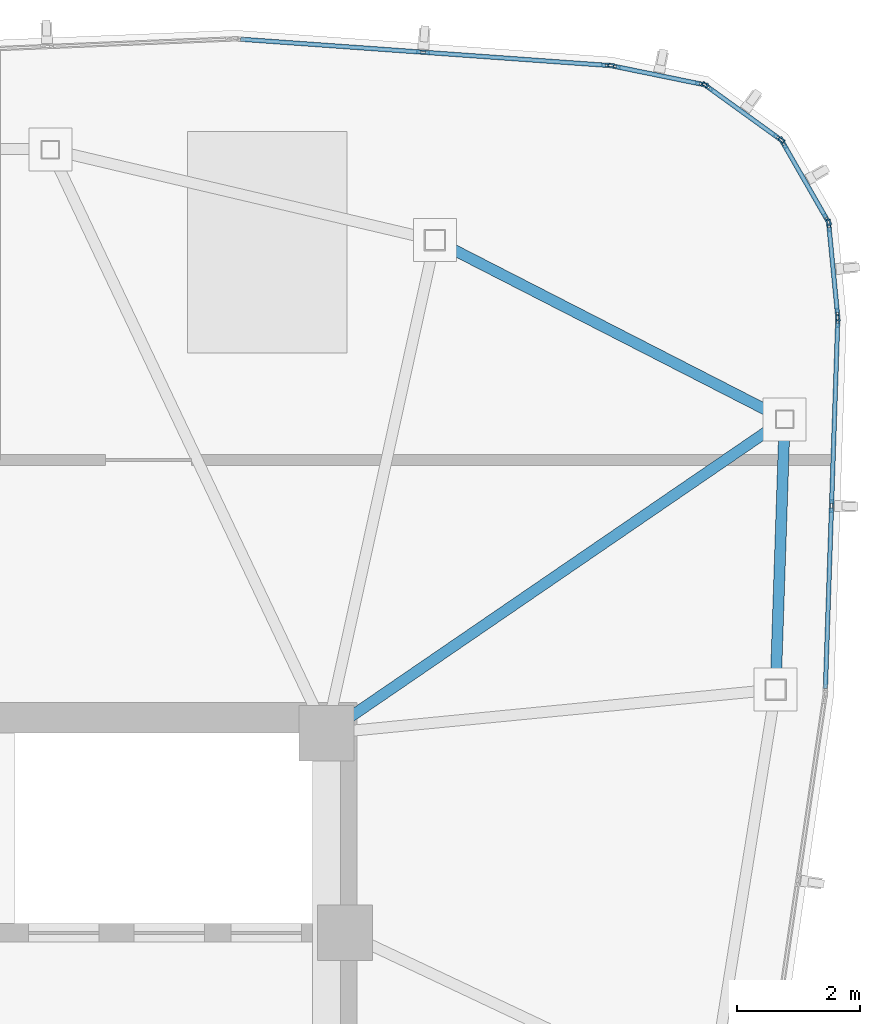
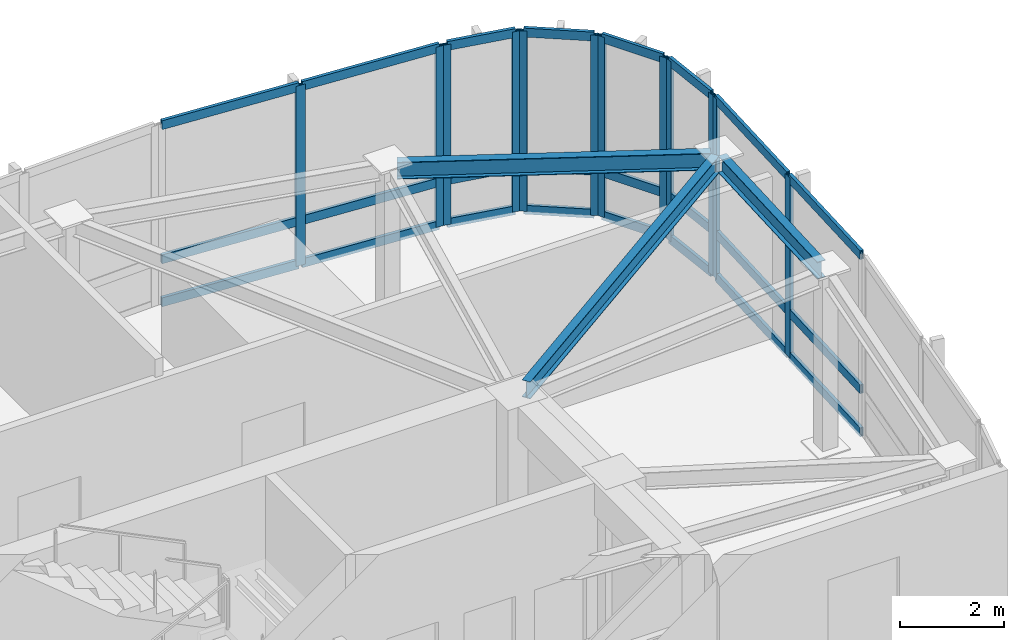
# One storey, part 4 of 10: 36 members, 3 beams, 6 elements without a shape of their own.
"""IFC4 building model written with IfcOpenShell, lengths in metres."""

from ifc_helpers import new_model, si_unit, direction, frame, origin, origin_2d, place, context, subcontext, project, spatial, hollow_rectangle, i_section, extrude, source, transform, mapped, material, layer, layer_set, material_profile, profile_set, type_object, type_shapes, element, aggregate, save


model = new_model("IFC4")

# Units and contexts
model_context = context("Model", 3, precision=1e-05, world=origin(), true_north=direction((0.0, 1.0)))
body_context = subcontext(model_context, "Body", "Model", "MODEL_VIEW")
ifc_project = project(units=[si_unit("LENGTHUNIT", "METRE"), si_unit("AREAUNIT", "SQUARE_METRE"), si_unit("VOLUMEUNIT", "CUBIC_METRE"), si_unit("PLANEANGLEUNIT", "RADIAN"), si_unit("MASSUNIT", "GRAM", prefix="KILO")], contexts=[model_context])

# Site, building, storey
site_placement = place(None, origin())
site = spatial("IfcSite", under=ifc_project, at=site_placement, CompositionType="ELEMENT")
building_placement = place(site_placement, origin())
building = spatial("IfcBuilding", under=site, at=building_placement, Name="Tavelor Broadcast Tower", CompositionType="ELEMENT")
storey_placement = place(building_placement, frame((0.0, 0.0, 355.10009765625)))
storey = spatial("IfcBuildingStorey", under=building, at=storey_placement, Name="L84", CompositionType="ELEMENT", Elevation=355.10009765625)

# Beams
ifc_material_1 = material(Name="Steel S355", Category="steel")
ifc_material_profile_1 = material_profile(ifc_material_1, i_section(OverallWidth=0.179931640625, OverallDepth=0.39990234375, WebThickness=0.008544921875, FlangeThickness=0.013427734375, at=origin_2d()), Name="IPE 400")
ifc_profile_set_1 = profile_set([ifc_material_profile_1], Name="Steel S355")
beam_type = type_object("IfcBeamType", Name="Crown Ring Spandrel Beam IPE400", PredefinedType="SPANDREL", material=ifc_profile_set_1)
beam_1_placement = place(storey_placement, frame((63.9169921875, 52.089111328125, 4.0498046875), z_axis=(0.033482656619, 0.99943929866, 0.0), x_axis=(-0.99943929866, 0.033482656619, 0.0)))
element("IfcBeam", 1, at=beam_1_placement, inside=storey, type_object=beam_type, Name="L84 Crown Peak A Ring Spandrel 5", PredefinedType="SPANDREL", context=body_context, shape_type="SweptSolid", body=[
    extrude(i_section(OverallWidth=0.179931640625, OverallDepth=0.39990234375, WebThickness=0.008544921875, FlangeThickness=0.013427734375, at=origin_2d()), origin(), (0.0, 0.0, 1.0), 4.068603515625),
])
beam_2_placement = place(storey_placement, frame((63.922119140625, 56.37841796875, 4.0498046875), z_axis=(-0.889973264193, 0.456012707083, 0.0), x_axis=(-0.456012707083, -0.889973264193, 0.0)))
element("IfcBeam", 2, at=beam_2_placement, inside=storey, type_object=beam_type, Name="L84 Crown Peak A Ring Spandrel 6", PredefinedType="SPANDREL", context=body_context, shape_type="SweptSolid", body=[
    extrude(i_section(OverallWidth=0.179931640625, OverallDepth=0.39990234375, WebThickness=0.008544921875, FlangeThickness=0.013427734375, at=origin_2d()), origin(), (0.0, 0.0, 1.0), 6.06689453125),
])
beam_3_placement = place(storey_placement, frame((56.956298828125, 51.444091796875, 4.0498046875), z_axis=(0.825037324604, 0.565078236185, 0.0), x_axis=(-0.565078236185, 0.825037324604, 0.0)))
element("IfcBeam", 3, at=beam_3_placement, inside=storey, type_object=beam_type, Name="L84 Crown Peak A Radial Beam 6", PredefinedType="SPANDREL", context=body_context, shape_type="SweptSolid", body=[
    extrude(i_section(OverallWidth=0.179931640625, OverallDepth=0.39990234375, WebThickness=0.008544921875, FlangeThickness=0.013427734375, at=origin_2d()), origin(), (0.0, 0.0, 1.0), 8.455078125),
])

# Curtain wall, members
ifc_material_2 = material(Name="Architectural Anodized Aluminium", Category="aluminium")
ifc_layer = layer(ifc_material_2, 0.2099609375)
ifc_layer_set = layer_set([ifc_layer], Name="Architectural Anodized Aluminium")
curtain_wall_type = type_object("IfcCurtainWallType", Name="Split-Crown Beacon Curtain Wall CW06", PredefinedType="NOTDEFINED", material=ifc_layer_set)
curtain_wall_1_placement = place(storey_placement, origin())
curtain_wall_1 = element("IfcCurtainWall", 4, at=curtain_wall_1_placement, inside=storey, type_object=curtain_wall_type, Name="L84 Curtain Wall CW06 Run 991", PredefinedType="NOTDEFINED")
ifc_material_profile_2 = material_profile(ifc_material_2, hollow_rectangle(XDim=0.072021484375, YDim=0.2099609375, WallThickness=0.02197265625, at=origin_2d()), Name="RHS 72x210x22")
ifc_profile_set_2 = profile_set([ifc_material_profile_2], Name="Architectural Anodized Aluminium")
member_type_1 = type_object("IfcMemberType", Name="CW06 Extruded Aluminium Mullion 72x210", PredefinedType="MULLION", material=ifc_profile_set_2)
shared_shape_1 = source(origin(), body_context, "Body", "SweptSolid", [
    extrude(hollow_rectangle(XDim=0.072021484375, YDim=0.2099609375, WallThickness=0.02197265625, at=origin_2d()), origin(), (0.0, 0.0, 1.0), 4.25),
])
type_shapes(member_type_1, [shared_shape_1])
member_1_placement = place(storey_placement, frame((64.82177734375, 54.900634765625, 0.0), z_axis=(0.0, 0.0, 1.0), x_axis=(-0.999438263288, 0.033513547637, 0.0)))
member_1 = element("IfcMember", 5, at=member_1_placement, type_object=member_type_1, Name="CW06 mullion 2", PredefinedType="MULLION", context=body_context, shape_type="MappedRepresentation", body=[
    mapped(shared_shape_1, transform((0.0, 0.0, 0.0), scale=1.0)),
])
member_2_placement = place(storey_placement, frame((64.922607421875, 57.91259765625, 0.0), z_axis=(0.0, 0.0, 1.0), x_axis=(-0.999438263288, 0.033513547637, 0.0)))
member_2 = element("IfcMember", 6, at=member_2_placement, type_object=member_type_1, Name="CW06 mullion 3", PredefinedType="MULLION", context=body_context, shape_type="MappedRepresentation", body=[
    mapped(shared_shape_1, transform((0.0, 0.0, 0.0), scale=1.0)),
])

curtain_wall_2_placement = place(storey_placement, origin())
curtain_wall_2 = element("IfcCurtainWall", 7, at=curtain_wall_2_placement, inside=storey, type_object=curtain_wall_type, Name="L84 Curtain Wall CW06 Run 992", PredefinedType="NOTDEFINED")
member_3_placement = place(storey_placement, frame((64.91943359375, 58.01416015625, 0.0), z_axis=(0.0, 0.0, 1.0), x_axis=(-0.995311354196, -0.096722842222, 0.0)))
member_3 = element("IfcMember", 8, at=member_3_placement, type_object=member_type_1, Name="CW06 mullion 1", PredefinedType="MULLION", context=body_context, shape_type="MappedRepresentation", body=[
    mapped(shared_shape_1, transform((0.0, 0.0, 0.0), scale=1.0)),
])
member_4_placement = place(storey_placement, frame((64.7783203125, 59.466552734375, 0.0), z_axis=(0.0, 0.0, 1.0), x_axis=(-0.995311354196, -0.096722842222, 0.0)))
member_4 = element("IfcMember", 9, at=member_4_placement, type_object=member_type_1, Name="CW06 mullion 2", PredefinedType="MULLION", context=body_context, shape_type="MappedRepresentation", body=[
    mapped(shared_shape_1, transform((0.0, 0.0, 0.0), scale=1.0)),
])

curtain_wall_3_placement = place(storey_placement, origin())
curtain_wall_3 = element("IfcCurtainWall", 10, at=curtain_wall_3_placement, inside=storey, type_object=curtain_wall_type, Name="L84 Curtain Wall CW06 Run 993", PredefinedType="NOTDEFINED")
member_5_placement = place(storey_placement, frame((64.748046875, 59.5615234375, 0.0), z_axis=(0.0, 0.0, 1.0), x_axis=(-0.867316625762, -0.497756838905, 0.0)))
member_5 = element("IfcMember", 11, at=member_5_placement, type_object=member_type_1, Name="CW06 mullion 1", PredefinedType="MULLION", context=body_context, shape_type="MappedRepresentation", body=[
    mapped(shared_shape_1, transform((0.0, 0.0, 0.0), scale=1.0)),
])
member_6_placement = place(storey_placement, frame((64.0322265625, 60.80908203125, 0.0), z_axis=(0.0, 0.0, 1.0), x_axis=(-0.867316625762, -0.497756838905, 0.0)))
member_6 = element("IfcMember", 12, at=member_6_placement, type_object=member_type_1, Name="CW06 mullion 2", PredefinedType="MULLION", context=body_context, shape_type="MappedRepresentation", body=[
    mapped(shared_shape_1, transform((0.0, 0.0, 0.0), scale=1.0)),
])

curtain_wall_4_placement = place(storey_placement, origin())
curtain_wall_4 = element("IfcCurtainWall", 13, at=curtain_wall_4_placement, inside=storey, type_object=curtain_wall_type, Name="L84 Curtain Wall CW06 Run 994", PredefinedType="NOTDEFINED")
member_7_placement = place(storey_placement, frame((63.96533203125, 60.883056640625, 0.0), z_axis=(0.0, 0.0, 1.0), x_axis=(-0.585676694138, -0.810544761221, 0.0)))
member_7 = element("IfcMember", 14, at=member_7_placement, type_object=member_type_1, Name="CW06 mullion 1", PredefinedType="MULLION", context=body_context, shape_type="MappedRepresentation", body=[
    mapped(shared_shape_1, transform((0.0, 0.0, 0.0), scale=1.0)),
])
member_8_placement = place(storey_placement, frame((62.799560546875, 61.725341796875, 0.0), z_axis=(0.0, 0.0, 1.0), x_axis=(-0.585676694138, -0.810544761221, 0.0)))
member_8 = element("IfcMember", 15, at=member_8_placement, type_object=member_type_1, Name="CW06 mullion 2", PredefinedType="MULLION", context=body_context, shape_type="MappedRepresentation", body=[
    mapped(shared_shape_1, transform((0.0, 0.0, 0.0), scale=1.0)),
])

curtain_wall_5_placement = place(storey_placement, origin())
curtain_wall_5 = element("IfcCurtainWall", 16, at=curtain_wall_5_placement, inside=storey, type_object=curtain_wall_type, Name="L84 Curtain Wall CW06 Run 995", PredefinedType="NOTDEFINED")
member_9_placement = place(storey_placement, frame((62.708251953125, 61.765625, 0.0), z_axis=(0.0, 0.0, 1.0), x_axis=(-0.200183940339, -0.979758332463, 0.0)))
member_9 = element("IfcMember", 17, at=member_9_placement, type_object=member_type_1, Name="CW06 mullion 1", PredefinedType="MULLION", context=body_context, shape_type="MappedRepresentation", body=[
    mapped(shared_shape_1, transform((0.0, 0.0, 0.0), scale=1.0)),
])
member_10_placement = place(storey_placement, frame((61.27880859375, 62.0576171875, 0.0), z_axis=(0.0, 0.0, 1.0), x_axis=(-0.200183940339, -0.979758332463, 0.0)))
member_10 = element("IfcMember", 18, at=member_10_placement, type_object=member_type_1, Name="CW06 mullion 2", PredefinedType="MULLION", context=body_context, shape_type="MappedRepresentation", body=[
    mapped(shared_shape_1, transform((0.0, 0.0, 0.0), scale=1.0)),
])

curtain_wall_6_placement = place(storey_placement, origin())
curtain_wall_6 = element("IfcCurtainWall", 19, at=curtain_wall_6_placement, inside=storey, type_object=curtain_wall_type, Name="L84 Curtain Wall CW06 Run 996", PredefinedType="NOTDEFINED")
member_11_placement = place(storey_placement, frame((61.177978515625, 62.071533203125, 0.0), z_axis=(0.0, 0.0, 1.0), x_axis=(-0.071142181875, -0.997466184869, 0.0)))
member_11 = element("IfcMember", 20, at=member_11_placement, type_object=member_type_1, Name="CW06 mullion 1", PredefinedType="MULLION", context=body_context, shape_type="MappedRepresentation", body=[
    mapped(shared_shape_1, transform((0.0, 0.0, 0.0), scale=1.0)),
])
member_12_placement = place(storey_placement, frame((58.172119140625, 62.285888671875, 0.0), z_axis=(0.0, 0.0, 1.0), x_axis=(-0.071142181875, -0.997466184869, 0.0)))
member_12 = element("IfcMember", 21, at=member_12_placement, type_object=member_type_1, Name="CW06 mullion 2", PredefinedType="MULLION", context=body_context, shape_type="MappedRepresentation", body=[
    mapped(shared_shape_1, transform((0.0, 0.0, 0.0), scale=1.0)),
])

# Member
ifc_material_profile_3 = material_profile(ifc_material_2, hollow_rectangle(XDim=0.072021484375, YDim=0.2099609375, WallThickness=0.02197265625, at=origin_2d()), Name="RHS 72x210x22")
ifc_profile_set_3 = profile_set([ifc_material_profile_3], Name="Architectural Anodized Aluminium")
member_type_2 = type_object("IfcMemberType", Name="CW06 Extruded Aluminium Transom 72x210", PredefinedType="USERDEFINED", material=ifc_profile_set_3)
shared_shape_2 = source(origin(), body_context, "Body", "SweptSolid", [
    extrude(hollow_rectangle(XDim=0.072021484375, YDim=0.2099609375, WallThickness=0.02197265625, at=origin_2d()), origin(), (0.0, 0.0, 1.0), 2.941650390625),
])
member_13_placement = place(storey_placement, frame((64.721923828125, 51.9248046875, 0.035888671875), z_axis=(0.033530379529, 0.999437698733, 0.0), x_axis=(-0.999437698733, 0.033530379529, 0.0)))
member_13 = element("IfcMember", 22, at=member_13_placement, type_object=member_type_2, Name="CW06 transom 1.1", ObjectType="TRANSOM", PredefinedType="USERDEFINED", context=body_context, shape_type="MappedRepresentation", body=[
    mapped(shared_shape_2, transform((0.0, 0.0, 0.0), scale=1.0)),
])

member_14_placement = place(storey_placement, frame((64.721923828125, 51.9248046875, 1.0498046875), z_axis=(0.033530379529, 0.999437698733, 0.0), x_axis=(-0.999437698733, 0.033530379529, 0.0)))
member_14 = element("IfcMember", 23, at=member_14_placement, type_object=member_type_2, Name="CW06 transom 1.2", ObjectType="TRANSOM", PredefinedType="USERDEFINED", context=body_context, shape_type="MappedRepresentation", body=[
    mapped(shared_shape_2, transform((0.0, 0.0, 0.0), scale=1.0)),
])

member_15_placement = place(storey_placement, frame((64.721923828125, 51.9248046875, 4.2138671875), z_axis=(0.033530379529, 0.999437698733, 0.0), x_axis=(-0.999437698733, 0.033530379529, 0.0)))
member_15 = element("IfcMember", 24, at=member_15_placement, type_object=member_type_2, Name="CW06 transom 1.3", ObjectType="TRANSOM", PredefinedType="USERDEFINED", context=body_context, shape_type="MappedRepresentation", body=[
    mapped(shared_shape_2, transform((0.0, 0.0, 0.0), scale=1.0)),
])

member_16_placement = place(storey_placement, frame((61.14208984375, 62.073974609375, 0.035888671875), z_axis=(-0.997467119024, 0.071129083126, 0.0), x_axis=(-0.071129083126, -0.997467119024, 0.0)))
member_16 = element("IfcMember", 25, at=member_16_placement, type_object=member_type_2, Name="CW06 transom 1.1", ObjectType="TRANSOM", PredefinedType="USERDEFINED", context=body_context, shape_type="MappedRepresentation", body=[
    mapped(shared_shape_2, transform((0.0, 0.0, 0.0), scale=1.0)),
])

member_17_placement = place(storey_placement, frame((61.14208984375, 62.073974609375, 1.0498046875), z_axis=(-0.997467119024, 0.071129083126, 0.0), x_axis=(-0.071129083126, -0.997467119024, 0.0)))
member_17 = element("IfcMember", 26, at=member_17_placement, type_object=member_type_2, Name="CW06 transom 1.2", ObjectType="TRANSOM", PredefinedType="USERDEFINED", context=body_context, shape_type="MappedRepresentation", body=[
    mapped(shared_shape_2, transform((0.0, 0.0, 0.0), scale=1.0)),
])

member_18_placement = place(storey_placement, frame((61.14208984375, 62.073974609375, 4.2138671875), z_axis=(-0.997467119024, 0.071129083126, 0.0), x_axis=(-0.071129083126, -0.997467119024, 0.0)))
member_18 = element("IfcMember", 27, at=member_18_placement, type_object=member_type_2, Name="CW06 transom 1.3", ObjectType="TRANSOM", PredefinedType="USERDEFINED", context=body_context, shape_type="MappedRepresentation", body=[
    mapped(shared_shape_2, transform((0.0, 0.0, 0.0), scale=1.0)),
])

member_19_placement = place(storey_placement, frame((58.13623046875, 62.288330078125, 0.035888671875), z_axis=(-0.997467119024, 0.071129083126, 0.0), x_axis=(-0.071129083126, -0.997467119024, 0.0)))
member_19 = element("IfcMember", 28, at=member_19_placement, type_object=member_type_2, Name="CW06 transom 2.1", ObjectType="TRANSOM", PredefinedType="USERDEFINED", context=body_context, shape_type="MappedRepresentation", body=[
    mapped(shared_shape_2, transform((0.0, 0.0, 0.0), scale=1.0)),
])

member_20_placement = place(storey_placement, frame((58.13623046875, 62.288330078125, 1.0498046875), z_axis=(-0.997467119024, 0.071129083126, 0.0), x_axis=(-0.071129083126, -0.997467119024, 0.0)))
member_20 = element("IfcMember", 29, at=member_20_placement, type_object=member_type_2, Name="CW06 transom 2.2", ObjectType="TRANSOM", PredefinedType="USERDEFINED", context=body_context, shape_type="MappedRepresentation", body=[
    mapped(shared_shape_2, transform((0.0, 0.0, 0.0), scale=1.0)),
])

member_21_placement = place(storey_placement, frame((58.13623046875, 62.288330078125, 4.2138671875), z_axis=(-0.997467119024, 0.071129083126, 0.0), x_axis=(-0.071129083126, -0.997467119024, 0.0)))
member_21 = element("IfcMember", 30, at=member_21_placement, type_object=member_type_2, Name="CW06 transom 2.3", ObjectType="TRANSOM", PredefinedType="USERDEFINED", context=body_context, shape_type="MappedRepresentation", body=[
    mapped(shared_shape_2, transform((0.0, 0.0, 0.0), scale=1.0)),
])

aggregate(curtain_wall_6, [member_11, member_12, member_16, member_17, member_18, member_19, member_20, member_21])

shared_shape_3 = source(origin(), body_context, "Body", "SweptSolid", [
    extrude(hollow_rectangle(XDim=0.072021484375, YDim=0.2099609375, WallThickness=0.02197265625, at=origin_2d()), origin(), (0.0, 0.0, 1.0), 1.38720703125),
])
member_22_placement = place(storey_placement, frame((64.916015625, 58.050048828125, 0.035888671875), z_axis=(-0.096802298191, 0.995303629585, 0.0), x_axis=(-0.995303629585, -0.096802298191, 0.0)))
member_22 = element("IfcMember", 31, at=member_22_placement, type_object=member_type_2, Name="CW06 transom 1.1", ObjectType="TRANSOM", PredefinedType="USERDEFINED", context=body_context, shape_type="MappedRepresentation", body=[
    mapped(shared_shape_3, transform((0.0, 0.0, 0.0), scale=1.0)),
])

member_23_placement = place(storey_placement, frame((64.916015625, 58.050048828125, 1.0498046875), z_axis=(-0.096802298191, 0.995303629585, 0.0), x_axis=(-0.995303629585, -0.096802298191, 0.0)))
member_23 = element("IfcMember", 32, at=member_23_placement, type_object=member_type_2, Name="CW06 transom 1.2", ObjectType="TRANSOM", PredefinedType="USERDEFINED", context=body_context, shape_type="MappedRepresentation", body=[
    mapped(shared_shape_3, transform((0.0, 0.0, 0.0), scale=1.0)),
])

member_24_placement = place(storey_placement, frame((64.916015625, 58.050048828125, 4.2138671875), z_axis=(-0.096802298191, 0.995303629585, 0.0), x_axis=(-0.995303629585, -0.096802298191, 0.0)))
member_24 = element("IfcMember", 33, at=member_24_placement, type_object=member_type_2, Name="CW06 transom 1.3", ObjectType="TRANSOM", PredefinedType="USERDEFINED", context=body_context, shape_type="MappedRepresentation", body=[
    mapped(shared_shape_3, transform((0.0, 0.0, 0.0), scale=1.0)),
])

aggregate(curtain_wall_2, [member_3, member_4, member_22, member_23, member_24])

member_25_placement = place(storey_placement, frame((62.673095703125, 61.772705078125, 0.035888671875), z_axis=(-0.979773788228, 0.200108280441, 0.0), x_axis=(-0.200108280441, -0.979773788228, 0.0)))
member_25 = element("IfcMember", 34, at=member_25_placement, type_object=member_type_2, Name="CW06 transom 1.1", ObjectType="TRANSOM", PredefinedType="USERDEFINED", context=body_context, shape_type="MappedRepresentation", body=[
    mapped(shared_shape_3, transform((0.0, 0.0, 0.0), scale=1.0)),
])

member_26_placement = place(storey_placement, frame((62.673095703125, 61.772705078125, 1.0498046875), z_axis=(-0.979773788228, 0.200108280441, 0.0), x_axis=(-0.200108280441, -0.979773788228, 0.0)))
member_26 = element("IfcMember", 35, at=member_26_placement, type_object=member_type_2, Name="CW06 transom 1.2", ObjectType="TRANSOM", PredefinedType="USERDEFINED", context=body_context, shape_type="MappedRepresentation", body=[
    mapped(shared_shape_3, transform((0.0, 0.0, 0.0), scale=1.0)),
])

member_27_placement = place(storey_placement, frame((62.673095703125, 61.772705078125, 4.2138671875), z_axis=(-0.979773788228, 0.200108280441, 0.0), x_axis=(-0.200108280441, -0.979773788228, 0.0)))
member_27 = element("IfcMember", 36, at=member_27_placement, type_object=member_type_2, Name="CW06 transom 1.3", ObjectType="TRANSOM", PredefinedType="USERDEFINED", context=body_context, shape_type="MappedRepresentation", body=[
    mapped(shared_shape_3, transform((0.0, 0.0, 0.0), scale=1.0)),
])

aggregate(curtain_wall_5, [member_9, member_10, member_25, member_26, member_27])

shared_shape_4 = source(origin(), body_context, "Body", "SweptSolid", [
    extrude(hollow_rectangle(XDim=0.072021484375, YDim=0.2099609375, WallThickness=0.02197265625, at=origin_2d()), origin(), (0.0, 0.0, 1.0), 1.3662109375),
])
member_28_placement = place(storey_placement, frame((64.72998046875, 59.5927734375, 0.035888671875), z_axis=(-0.497658438083, 0.867373091008, 0.0), x_axis=(-0.867373091008, -0.497658438083, 0.0)))
member_28 = element("IfcMember", 37, at=member_28_placement, type_object=member_type_2, Name="CW06 transom 1.1", ObjectType="TRANSOM", PredefinedType="USERDEFINED", context=body_context, shape_type="MappedRepresentation", body=[
    mapped(shared_shape_4, transform((0.0, 0.0, 0.0), scale=1.0)),
])

member_29_placement = place(storey_placement, frame((64.72998046875, 59.5927734375, 1.0498046875), z_axis=(-0.497658438083, 0.867373091008, 0.0), x_axis=(-0.867373091008, -0.497658438083, 0.0)))
member_29 = element("IfcMember", 38, at=member_29_placement, type_object=member_type_2, Name="CW06 transom 1.2", ObjectType="TRANSOM", PredefinedType="USERDEFINED", context=body_context, shape_type="MappedRepresentation", body=[
    mapped(shared_shape_4, transform((0.0, 0.0, 0.0), scale=1.0)),
])

member_30_placement = place(storey_placement, frame((64.72998046875, 59.5927734375, 4.2138671875), z_axis=(-0.497658438083, 0.867373091008, 0.0), x_axis=(-0.867373091008, -0.497658438083, 0.0)))
member_30 = element("IfcMember", 39, at=member_30_placement, type_object=member_type_2, Name="CW06 transom 1.3", ObjectType="TRANSOM", PredefinedType="USERDEFINED", context=body_context, shape_type="MappedRepresentation", body=[
    mapped(shared_shape_4, transform((0.0, 0.0, 0.0), scale=1.0)),
])

aggregate(curtain_wall_3, [member_5, member_6, member_28, member_29, member_30])

member_31_placement = place(storey_placement, frame((63.936279296875, 60.904052734375, 0.035888671875), z_axis=(-0.810509571654, 0.585725391508, 0.0), x_axis=(-0.585725391508, -0.810509571654, 0.0)))
member_31 = element("IfcMember", 40, at=member_31_placement, type_object=member_type_2, Name="CW06 transom 1.1", ObjectType="TRANSOM", PredefinedType="USERDEFINED", context=body_context, shape_type="MappedRepresentation", body=[
    mapped(shared_shape_4, transform((0.0, 0.0, 0.0), scale=1.0)),
])

member_32_placement = place(storey_placement, frame((63.936279296875, 60.904052734375, 1.0498046875), z_axis=(-0.810509571654, 0.585725391508, 0.0), x_axis=(-0.585725391508, -0.810509571654, 0.0)))
member_32 = element("IfcMember", 41, at=member_32_placement, type_object=member_type_2, Name="CW06 transom 1.2", ObjectType="TRANSOM", PredefinedType="USERDEFINED", context=body_context, shape_type="MappedRepresentation", body=[
    mapped(shared_shape_4, transform((0.0, 0.0, 0.0), scale=1.0)),
])

member_33_placement = place(storey_placement, frame((63.936279296875, 60.904052734375, 4.2138671875), z_axis=(-0.810509571654, 0.585725391508, 0.0), x_axis=(-0.585725391508, -0.810509571654, 0.0)))
member_33 = element("IfcMember", 42, at=member_33_placement, type_object=member_type_2, Name="CW06 transom 1.3", ObjectType="TRANSOM", PredefinedType="USERDEFINED", context=body_context, shape_type="MappedRepresentation", body=[
    mapped(shared_shape_4, transform((0.0, 0.0, 0.0), scale=1.0)),
])

aggregate(curtain_wall_4, [member_7, member_8, member_31, member_32, member_33])

shared_shape_5 = source(origin(), body_context, "Body", "SweptSolid", [
    extrude(hollow_rectangle(XDim=0.072021484375, YDim=0.2099609375, WallThickness=0.02197265625, at=origin_2d()), origin(), (0.0, 0.0, 1.0), 2.94140625),
])
type_shapes(member_type_2, [shared_shape_2, shared_shape_3, shared_shape_4, shared_shape_5])
member_34_placement = place(storey_placement, frame((64.822998046875, 54.936767578125, 0.035888671875), z_axis=(0.033450251196, 0.999440383762, 0.0), x_axis=(-0.999440383762, 0.033450251196, 0.0)))
member_34 = element("IfcMember", 43, at=member_34_placement, type_object=member_type_2, Name="CW06 transom 2.1", ObjectType="TRANSOM", PredefinedType="USERDEFINED", context=body_context, shape_type="MappedRepresentation", body=[
    mapped(shared_shape_5, transform((0.0, 0.0, 0.0), scale=1.0)),
])

member_35_placement = place(storey_placement, frame((64.822998046875, 54.936767578125, 1.0498046875), z_axis=(0.033450251196, 0.999440383762, 0.0), x_axis=(-0.999440383762, 0.033450251196, 0.0)))
member_35 = element("IfcMember", 44, at=member_35_placement, type_object=member_type_2, Name="CW06 transom 2.2", ObjectType="TRANSOM", PredefinedType="USERDEFINED", context=body_context, shape_type="MappedRepresentation", body=[
    mapped(shared_shape_5, transform((0.0, 0.0, 0.0), scale=1.0)),
])

member_36_placement = place(storey_placement, frame((64.822998046875, 54.936767578125, 4.2138671875), z_axis=(0.033450251196, 0.999440383762, 0.0), x_axis=(-0.999440383762, 0.033450251196, 0.0)))
member_36 = element("IfcMember", 45, at=member_36_placement, type_object=member_type_2, Name="CW06 transom 2.3", ObjectType="TRANSOM", PredefinedType="USERDEFINED", context=body_context, shape_type="MappedRepresentation", body=[
    mapped(shared_shape_5, transform((0.0, 0.0, 0.0), scale=1.0)),
])

aggregate(curtain_wall_1, [member_1, member_2, member_13, member_14, member_15, member_34, member_35, member_36])

save(model, "model.ifc")
